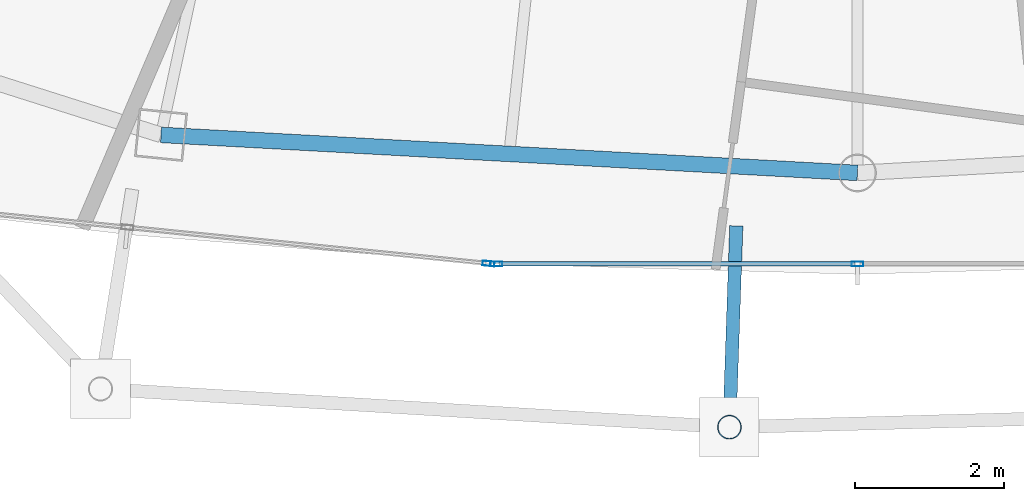
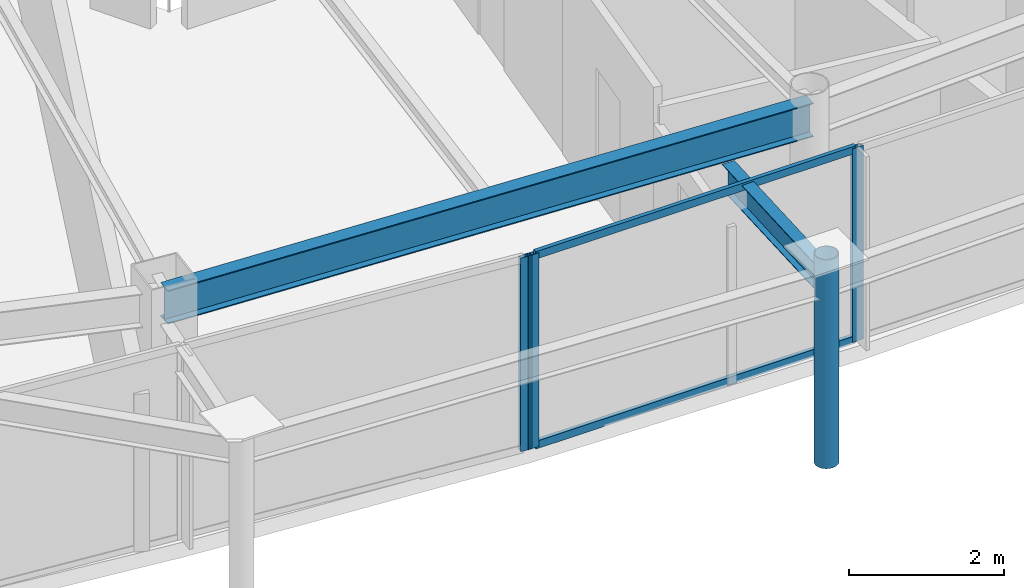
# One storey, part 7 of 28: 6 members, 2 beams, 2 elements without a shape of their own.
"""IFC4 building model written with IfcOpenShell, lengths in metres."""

from ifc_helpers import new_model, si_unit, direction, frame, origin, origin_2d, place, context, subcontext, project, spatial, hollow_rectangle, hollow_circle, i_section, extrude, material, layer, layer_set, material_profile, profile_set, type_object, element, aggregate, save


model = new_model("IFC4")

# Units and contexts
model_context = context("Model", 3, precision=1e-05, world=origin(), true_north=direction((0.0, 1.0)))
body_context = subcontext(model_context, "Body", "Model", "MODEL_VIEW")
ifc_project = project(units=[si_unit("LENGTHUNIT", "METRE"), si_unit("AREAUNIT", "SQUARE_METRE"), si_unit("VOLUMEUNIT", "CUBIC_METRE"), si_unit("PLANEANGLEUNIT", "RADIAN"), si_unit("MASSUNIT", "GRAM", prefix="KILO")], contexts=[model_context])

# Site, building, storey
site_placement = place(None, origin())
site = spatial("IfcSite", under=ifc_project, at=site_placement, CompositionType="ELEMENT")
building_placement = place(site_placement, origin())
building = spatial("IfcBuilding", under=site, at=building_placement, Name="Orvanel Arch Residences", CompositionType="ELEMENT")
storey_placement = place(building_placement, frame((0.0, 0.0, 266.75)))
storey = spatial("IfcBuildingStorey", under=building, at=storey_placement, Name="L76", CompositionType="ELEMENT", Elevation=266.75)

# Curtain wall, member
ifc_material_1 = material(Name="Bronze-anodised aluminium AA6063-T6", Category="aluminium")
ifc_layer = layer(ifc_material_1, 0.175048828125)
ifc_layer_set = layer_set([ifc_layer], Name="Bronze-anodised aluminium AA6063-T6")
curtain_wall_type = type_object("IfcCurtainWallType", Name="CW4-HI-SYS", PredefinedType="NOTDEFINED", material=ifc_layer_set)
curtain_wall_1_placement = place(storey_placement, origin())
curtain_wall_1 = element("IfcCurtainWall", 1, at=curtain_wall_1_placement, inside=storey, type_object=curtain_wall_type, Name="L76 CW4-HI-SYS Unitised Curtain Wall", PredefinedType="NOTDEFINED")
ifc_material_profile_1 = material_profile(ifc_material_1, hollow_rectangle(XDim=0.06494140625, YDim=0.159912109375, WallThickness=0.00390625, at=origin_2d()), Name="ALU160x65x4")
ifc_profile_set_1 = profile_set([ifc_material_profile_1], Name="Bronze-anodised aluminium AA6063-T6")
member_type_1 = type_object("IfcMemberType", Name="MUL-160x65", PredefinedType="MULLION", material=ifc_profile_set_1)
member_1_placement = place(storey_placement, frame((28.046630859375, 5.627197265625, 0.0), z_axis=(0.0, 0.0, 1.0), x_axis=(0.099796405352, 0.995007878099, 0.0)))
member_1 = element("IfcMember", 2, at=member_1_placement, type_object=member_type_1, Name="CW-S4 mullion 3", PredefinedType="MULLION", context=body_context, shape_type="SweptSolid", body=[
    extrude(hollow_rectangle(XDim=0.06494140625, YDim=0.159912109375, WallThickness=0.00390625, at=origin_2d()), origin(), (0.0, 0.0, 1.0), 3.06005859375),
])
aggregate(curtain_wall_1, [member_1])

# Curtain wall, members
curtain_wall_2_placement = place(storey_placement, origin())
curtain_wall_2 = element("IfcCurtainWall", 3, at=curtain_wall_2_placement, inside=storey, type_object=curtain_wall_type, Name="L76 CW4-HI-SYS Unitised Curtain Wall", PredefinedType="NOTDEFINED")
member_2_placement = place(storey_placement, frame((28.151611328125, 5.6220703125, 0.0), z_axis=(0.0, 0.0, 1.0), x_axis=(0.0, 1.0, 0.0)))
member_2 = element("IfcMember", 4, at=member_2_placement, type_object=member_type_1, Name="CW-S4 mullion 1", PredefinedType="MULLION", context=body_context, shape_type="SweptSolid", body=[
    extrude(hollow_rectangle(XDim=0.06494140625, YDim=0.159912109375, WallThickness=0.00390625, at=origin_2d()), origin(), (0.0, 0.0, 1.0), 3.06005859375),
])
member_3_placement = place(storey_placement, frame((33.0, 5.6220703125, 0.0), z_axis=(0.0, 0.0, 1.0), x_axis=(0.0, 1.0, 0.0)))
member_3 = element("IfcMember", 5, at=member_3_placement, type_object=member_type_1, Name="CW-S4 mullion 2", PredefinedType="MULLION", context=body_context, shape_type="SweptSolid", body=[
    extrude(hollow_rectangle(XDim=0.06494140625, YDim=0.159912109375, WallThickness=0.00390625, at=origin_2d()), origin(), (0.0, 0.0, 1.0), 3.06005859375),
])

# Beams
ifc_material_2 = material(Name="Structural steel AS/NZS 3679.1 Grade 300 (300 MPa)", Category="steel")
ifc_material_profile_2 = material_profile(ifc_material_2, i_section(OverallWidth=0.177978515625, OverallDepth=0.406005859375, WebThickness=0.0078125, FlangeThickness=0.0126953125, at=origin_2d()), Name="410UB59.7")
ifc_profile_set_2 = profile_set([ifc_material_profile_2], Name="Structural steel AS/NZS 3679.1 Grade 300 (300 MPa)")
beam_type_1 = type_object("IfcBeamType", Name="OB-410UB-EXT", PredefinedType="SPANDREL", material=ifc_profile_set_2)
beam_1_placement = place(storey_placement, frame((31.373046875, 6.133056640625, 2.85693359375), z_axis=(-0.034042418379, -0.999420388901, 0.0), x_axis=(0.999420388901, -0.034042418379, 0.0)))
element("IfcBeam", 6, at=beam_1_placement, inside=storey, type_object=beam_type_1, Name="L76 Outer Frame Radial Tie Beam 06", PredefinedType="SPANDREL", context=body_context, shape_type="SweptSolid", body=[
    extrude(i_section(OverallWidth=0.177978515625, OverallDepth=0.406005859375, WebThickness=0.0078125, FlangeThickness=0.0126953125, at=origin_2d()), origin(), (0.0, 0.0, 1.0), 2.70361328125),
])
ifc_material_profile_3 = material_profile(ifc_material_2, i_section(OverallWidth=0.208984375, OverallDepth=0.532958984375, WebThickness=0.01025390625, FlangeThickness=0.015625, at=origin_2d()), Name="530UB92.4")
ifc_profile_set_3 = profile_set([ifc_material_profile_3], Name="Structural steel AS/NZS 3679.1 Grade 300 (300 MPa)")
beam_type_2 = type_object("IfcBeamType", Name="SP-530UB", PredefinedType="SPANDREL", material=ifc_profile_set_3)
beam_2_placement = place(storey_placement, frame((23.64892578125, 7.35498046875, 2.79296875), z_axis=(0.998510315598, -0.054563262768, 0.0), x_axis=(0.054563262768, 0.998510315598, 0.0)))
element("IfcBeam", 7, at=beam_2_placement, inside=storey, type_object=beam_type_2, Name="L76 Perimeter Spandrel Beam 03", PredefinedType="SPANDREL", context=body_context, shape_type="SweptSolid", body=[
    extrude(i_section(OverallWidth=0.208984375, OverallDepth=0.532958984375, WebThickness=0.01025390625, FlangeThickness=0.015625, at=origin_2d()), origin(), (0.0, 0.0, 1.0), 9.364990234375),
])

# Member
ifc_material_3 = material(Name="Structural steel AS/NZS 1163 C350L0 (Grade 350)", Category="steel")
ifc_material_profile_4 = material_profile(ifc_material_3, hollow_circle(Radius=0.162109375, WallThickness=0.0126953125, at=origin_2d()), Name="CHS324x12.7")
ifc_profile_set_4 = profile_set([ifc_material_profile_4], Name="Structural steel AS/NZS 1163 C350L0 (Grade 350)")
member_type_2 = type_object("IfcMemberType", Name="ST-324CHS-EXT", PredefinedType="STRUT", material=ifc_profile_set_4)
member_4_placement = place(storey_placement, frame((31.281005859375, 3.430908203125, 0.0), z_axis=(0.0, 0.0, 1.0), x_axis=(1.0, 0.0, 0.0)))
element("IfcMember", 8, at=member_4_placement, inside=storey, type_object=member_type_2, Name="L76 Outer Perimeter Frame Post 06", PredefinedType="STRUT", context=body_context, shape_type="SweptSolid", body=[
    extrude(hollow_circle(Radius=0.162109375, WallThickness=0.0126953125, at=origin_2d()), origin(), (0.0, 0.0, 1.0), 3.300048828125),
])

ifc_material_profile_5 = material_profile(ifc_material_1, hollow_rectangle(XDim=0.06005859375, YDim=0.1201171875, WallThickness=0.00341796875, at=origin_2d()), Name="ALU120x60x3.5")
ifc_profile_set_5 = profile_set([ifc_material_profile_5], Name="Bronze-anodised aluminium AA6063-T6")
member_type_3 = type_object("IfcMemberType", Name="TRN-120x60", PredefinedType="USERDEFINED", material=ifc_profile_set_5)
member_5_placement = place(storey_placement, frame((28.18408203125, 5.6220703125, 0.030029296875), z_axis=(1.0, 0.0, 0.0), x_axis=(0.0, 1.0, 0.0)))
member_5 = element("IfcMember", 9, at=member_5_placement, type_object=member_type_3, Name="CW-S4 transom 1.1", ObjectType="TRANSOM", PredefinedType="USERDEFINED", context=body_context, shape_type="SweptSolid", body=[
    extrude(hollow_rectangle(XDim=0.06005859375, YDim=0.1201171875, WallThickness=0.00341796875, at=origin_2d()), origin(), (0.0, 0.0, 1.0), 4.783447265625),
])

member_6_placement = place(storey_placement, frame((28.18408203125, 5.6220703125, 3.030029296875), z_axis=(1.0, 0.0, 0.0), x_axis=(0.0, 1.0, 0.0)))
member_6 = element("IfcMember", 10, at=member_6_placement, type_object=member_type_3, Name="CW-S4 transom 1.2", ObjectType="TRANSOM", PredefinedType="USERDEFINED", context=body_context, shape_type="SweptSolid", body=[
    extrude(hollow_rectangle(XDim=0.06005859375, YDim=0.1201171875, WallThickness=0.00341796875, at=origin_2d()), origin(), (0.0, 0.0, 1.0), 4.783447265625),
])

aggregate(curtain_wall_2, [member_2, member_3, member_5, member_6])

save(model, "model.ifc")
